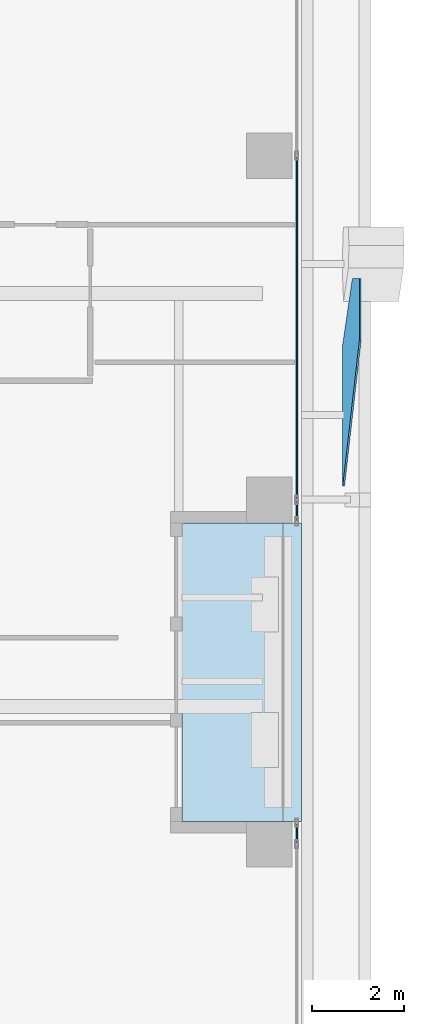
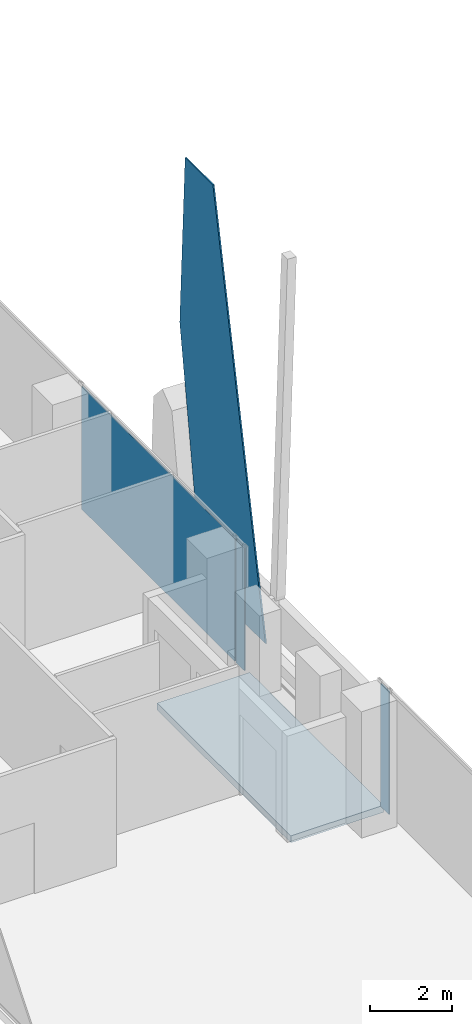
# One storey, part 31 of 43: 4 plates, 1 slab, 2 elements without a shape of their own.
"""IFC4 building model written with IfcOpenShell, lengths in metres."""

from ifc_helpers import new_model, si_unit, direction, frame, origin, origin_2d, place, context, subcontext, project, spatial, polyline, rectangle, outline, extrude, source, transform, mapped, material, layer, layer_set, type_object, element, aggregate, save


model = new_model("IFC4")

# Units and contexts
model_context = context("Model", 3, precision=1e-05, world=origin(), true_north=direction((0.0, 1.0)))
body_context = subcontext(model_context, "Body", "Model", "MODEL_VIEW")
ifc_project = project(units=[si_unit("LENGTHUNIT", "METRE"), si_unit("AREAUNIT", "SQUARE_METRE"), si_unit("VOLUMEUNIT", "CUBIC_METRE"), si_unit("PLANEANGLEUNIT", "RADIAN"), si_unit("MASSUNIT", "GRAM", prefix="KILO")], contexts=[model_context])

# Site, building, storey
site_placement = place(None, origin())
site = spatial("IfcSite", under=ifc_project, at=site_placement, CompositionType="ELEMENT")
building_placement = place(site_placement, origin())
building = spatial("IfcBuilding", under=site, at=building_placement, Name="Khomas Fold Tower", CompositionType="ELEMENT")
storey_placement = place(building_placement, frame((0.0, 0.0, 164.699951171875)))
storey = spatial("IfcBuildingStorey", under=building, at=storey_placement, Name="L35", CompositionType="ELEMENT", Elevation=164.699951171875)

# Plate
ifc_material_1 = material(Name="Clear laminated glass", Category="glass")
ifc_layer_1 = layer(ifc_material_1, 0.0400390625)
ifc_layer_set_1 = layer_set([ifc_layer_1], Name="Clear laminated glass")
plate_type_1 = type_object("IfcPlateType", Name="SK-Clear laminated glass leaf", PredefinedType="SHEET", material=ifc_layer_set_1)
plate_1_placement = place(storey_placement, frame((51.89990234375, 30.39111328125, 0.0), z_axis=(-0.999510514365, 3.884121e-05, 0.031284663419), x_axis=(-3.8822198e-05, -0.999999999246, 1.215134e-06)))
element("IfcPlate", 1, at=plate_1_placement, inside=storey, type_object=plate_type_1, Name="OUTER SKIN glass L35 EG103-1", PredefinedType="SHEET", context=body_context, shape_type="SweptSolid", body=[
    extrude(outline(polyline([(0.0, 0.0), (3.088134763295559, -6.539379730114529e-22), (-0.08666992398050247, 11.555706920488122), (-1.4389648448354397, 11.555706920488122), (-1.4389648515344475, 6.727421208973678), (0.0, 0.0)])), origin(), (0.0, 0.0, -1.0), 0.0400390625),
])

# Curtain wall, plate
ifc_material_2 = material(Name="Aluminium framed double glazing", Category="aluminium")
curtain_wall_type = type_object("IfcCurtainWallType", Name="SK-Unitised clear-glass wall, office floors CW2", PredefinedType="NOTDEFINED", material=ifc_material_2)
curtain_wall_1_placement = place(storey_placement, origin())
curtain_wall_1 = element("IfcCurtainWall", 2, at=curtain_wall_1_placement, inside=storey, type_object=curtain_wall_type, Name="CW2 run L35 08-1", PredefinedType="NOTDEFINED")
ifc_material_3 = material(Name="Clear double glazed unit")
ifc_layer_2 = layer(ifc_material_3, 0.030029296875)
ifc_layer_set_2 = layer_set([ifc_layer_2], Name="Clear double glazed unit")
plate_type_2 = type_object("IfcPlateType", Name="SK-Unitised clear-glass wall, office floors glass panel CW2-P", PredefinedType="CURTAIN_PANEL", material=ifc_layer_set_2)
shared_shape_1 = source(origin(), body_context, "Body", "SweptSolid", [
    extrude(rectangle(XDim=7.43994140625, YDim=0.030029296875, at=origin_2d()), origin(), (0.0, 0.0, 1.0), 3.639892578125),
])
plate_2_placement = place(storey_placement, frame((50.89990234375, 30.75, 0.0), z_axis=(0.0, 0.0, 1.0), x_axis=(0.0, 1.0, 0.0)))
plate_2 = element("IfcPlate", 3, at=plate_2_placement, type_object=plate_type_2, Name="CW2 glass panel 2", PredefinedType="CURTAIN_PANEL", context=body_context, shape_type="MappedRepresentation", body=[
    mapped(shared_shape_1, transform((0.0, 0.0, 0.0))),
])

curtain_wall_2_placement = place(storey_placement, origin())
curtain_wall_2 = element("IfcCurtainWall", 4, at=curtain_wall_2_placement, inside=storey, type_object=curtain_wall_type, Name="CW2 run L35 08-0", PredefinedType="NOTDEFINED")
shared_shape_2 = source(origin(), body_context, "Body", "SweptSolid", [
    extrude(rectangle(XDim=0.409912109375, YDim=0.030029296875, at=origin_2d()), origin(), (0.0, 0.0, 1.0), 3.639892578125),
])
plate_3_placement = place(storey_placement, frame((50.89990234375, 19.735107421875, 0.0), z_axis=(0.0, 0.0, 1.0), x_axis=(0.0, 1.0, 0.0)))
plate_3 = element("IfcPlate", 5, at=plate_3_placement, type_object=plate_type_2, Name="CW2 glass panel 4", PredefinedType="CURTAIN_PANEL", context=body_context, shape_type="MappedRepresentation", body=[
    mapped(shared_shape_2, transform((0.0, 0.0, 0.0))),
])
aggregate(curtain_wall_2, [plate_3])

# Plate
plate_4_placement = place(storey_placement, frame((50.89990234375, 26.764892578125, 0.0), z_axis=(0.0, 0.0, 1.0), x_axis=(0.0, 1.0, 0.0)))
plate_4 = element("IfcPlate", 6, at=plate_4_placement, type_object=plate_type_2, Name="CW2 glass panel 1", PredefinedType="CURTAIN_PANEL", context=body_context, shape_type="MappedRepresentation", body=[
    mapped(shared_shape_2, transform((0.0, 0.0, 0.0))),
])

aggregate(curtain_wall_1, [plate_4, plate_2])

# Slab
ifc_material_4 = material(Name="Concrete C40/50", Category="concrete")
ifc_layer_3 = layer(ifc_material_4, 0.205078125)
ifc_layer_set_3 = layer_set([ifc_layer_3], Name="Concrete C40/50")
slab_type = type_object("IfcSlabType", Name="BL-Balcony deck 205", PredefinedType="FLOOR", material=ifc_layer_set_3)
shared_shape_3 = source(origin(), body_context, "Body", "SweptSolid", [
    extrude(outline(polyline([(48.39990234375, 20.0), (51.0, 20.0), (51.0, 26.5), (48.39990234375, 26.5), (48.39990234375, 20.0)])), origin(), (0.0, 0.0, 1.0), 0.205078125),
])
slab_placement = place(storey_placement, frame((0.0, 0.0, -0.25)))
element("IfcSlab", 7, at=slab_placement, inside=storey, type_object=slab_type, Name="Balcony deck BAL-L35-E2", PredefinedType="FLOOR", context=body_context, shape_type="MappedRepresentation", body=[
    mapped(shared_shape_3, transform((0.0, 0.0, 0.0))),
])

save(model, "model.ifc")
